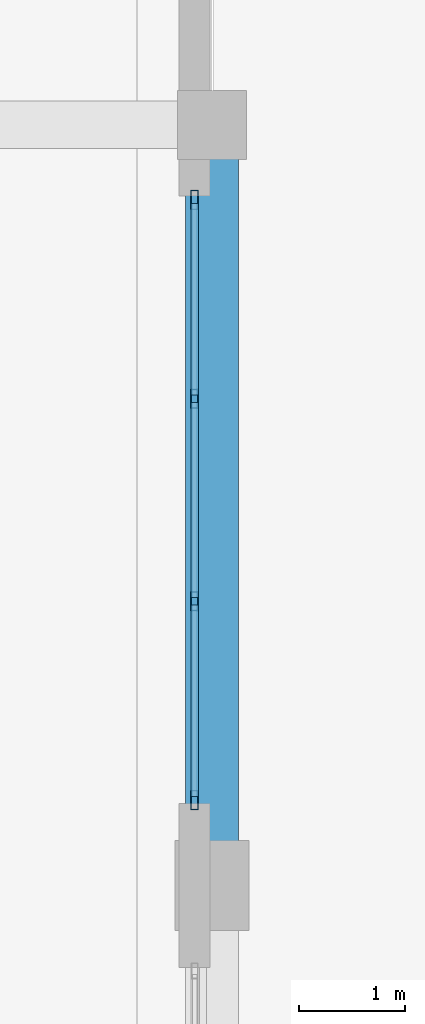
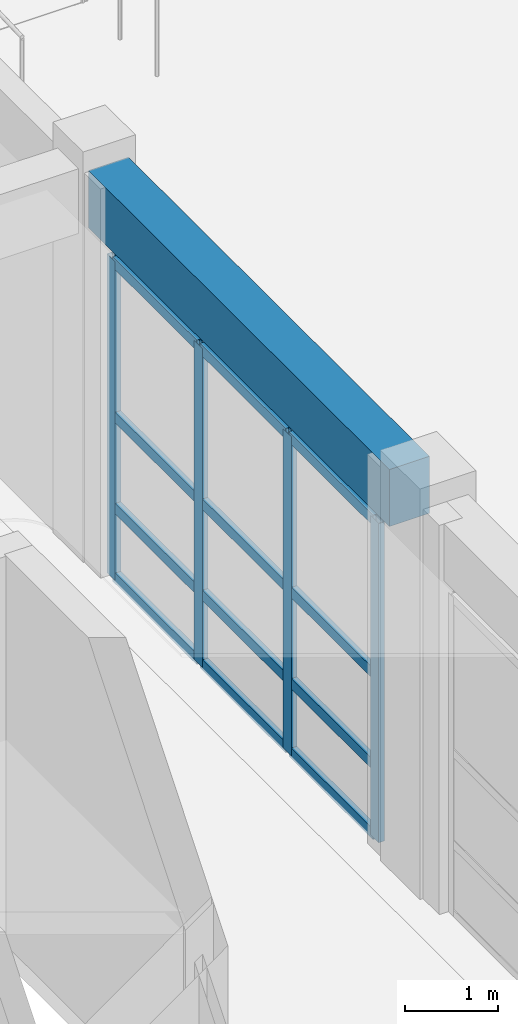
# One storey, part 44 of 148: 16 members, 1 beam, 1 element without a shape of its own.
"""IFC4 building model written with IfcOpenShell, lengths in metres."""

from ifc_helpers import new_model, si_unit, direction, frame, origin, origin_2d, place, context, subcontext, project, spatial, rectangle, hollow_rectangle, extrude, material, layer, layer_set, material_profile, profile_set, type_object, element, aggregate, save


model = new_model("IFC4")

# Units and contexts
model_context = context("Model", 3, precision=1e-05, world=origin(), true_north=direction((0.0, 1.0)))
body_context = subcontext(model_context, "Body", "Model", "MODEL_VIEW")
ifc_project = project(units=[si_unit("LENGTHUNIT", "METRE"), si_unit("AREAUNIT", "SQUARE_METRE"), si_unit("VOLUMEUNIT", "CUBIC_METRE"), si_unit("PLANEANGLEUNIT", "RADIAN"), si_unit("MASSUNIT", "GRAM", prefix="KILO")], contexts=[model_context])

# Site, building, storey
site_placement = place(None, origin())
site = spatial("IfcSite", under=ifc_project, at=site_placement, CompositionType="ELEMENT")
building_placement = place(site_placement, origin())
building = spatial("IfcBuilding", under=site, at=building_placement, Name="Quendrovan Civic Courthouse", CompositionType="ELEMENT")
storey_placement = place(building_placement, origin())
storey = spatial("IfcBuildingStorey", under=building, at=storey_placement, Name="L01", CompositionType="ELEMENT", Elevation=0.0)

# Beam
ifc_material_1 = material(Name="Concrete C40/50", Category="concrete")
ifc_material_profile_1 = material_profile(ifc_material_1, rectangle(XDim=0.5, YDim=0.75, at=origin_2d()), Name="RC-BM-500x750")
ifc_profile_set_1 = profile_set([ifc_material_profile_1], Name="Concrete C40/50")
beam_type = type_object("IfcBeamType", Name="BM-RC750", PredefinedType="SPANDREL", material=ifc_profile_set_1)
beam_placement = place(storey_placement, frame((16.800048828125, 88.0048828125, 4.7451171875), z_axis=(0.0, 1.0, 0.0), x_axis=(-1.0, 0.0, 0.0)))
element("IfcBeam", 1, at=beam_placement, inside=storey, type_object=beam_type, Name="L01 Girder Y0398", PredefinedType="SPANDREL", context=body_context, shape_type="SweptSolid", body=[
    extrude(rectangle(XDim=0.5, YDim=0.75, at=origin_2d()), origin(), (0.0, 0.0, 1.0), 6.490234375),
])

# Curtain wall, members
ifc_material_2 = material(Name="Bronze anodised aluminium and low-E glass", Category="aluminium")
ifc_layer = layer(ifc_material_2, 0.179931640625, Name="Bronze anodised aluminium and low-E glass")
ifc_layer_set = layer_set([ifc_layer], Name="Bronze anodised aluminium and low-E glass")
curtain_wall_type = type_object("IfcCurtainWallType", Name="CW-U58x42", PredefinedType="USERDEFINED", material=ifc_layer_set)
curtain_wall_placement = place(storey_placement, origin())
curtain_wall = element("IfcCurtainWall", 2, at=curtain_wall_placement, inside=storey, type_object=curtain_wall_type, Name="L01 Unitised Hurricane Curtain Wall CW-018", ObjectType="UNITISED CURTAIN WALL", PredefinedType="USERDEFINED")
ifc_material_3 = material(Name="Bronze anodised aluminium", Category="aluminium")
ifc_material_profile_2 = material_profile(ifc_material_3, hollow_rectangle(XDim=0.070068359375, YDim=0.179931640625, WallThickness=0.00390625, at=origin_2d()), Name="CW-MULL-70x180")
ifc_profile_set_2 = profile_set([ifc_material_profile_2], Name="Bronze anodised aluminium")
member_type_1 = type_object("IfcMemberType", Name="CW-MULL-A", PredefinedType="MULLION", material=ifc_profile_set_2)
member_1_placement = place(storey_placement, frame((16.635009765625, 94.090087890625, 0.0), z_axis=(0.0, 0.0, 1.0), x_axis=(1.0, 0.0, 0.0)))
member_1 = element("IfcMember", 3, at=member_1_placement, type_object=member_type_1, Name="CW-018 mullion 1", PredefinedType="MULLION", context=body_context, shape_type="SweptSolid", body=[
    extrude(hollow_rectangle(XDim=0.070068359375, YDim=0.179931640625, WallThickness=0.00390625, at=origin_2d()), origin(), (0.0, 0.0, 1.0), 4.199951171875),
])
member_2_placement = place(storey_placement, frame((16.635009765625, 92.208251953125, 0.0), z_axis=(0.0, 0.0, 1.0), x_axis=(1.0, 0.0, 0.0)))
member_2 = element("IfcMember", 4, at=member_2_placement, type_object=member_type_1, Name="CW-018 mullion 2", PredefinedType="MULLION", context=body_context, shape_type="SweptSolid", body=[
    extrude(hollow_rectangle(XDim=0.070068359375, YDim=0.179931640625, WallThickness=0.00390625, at=origin_2d()), origin(), (0.0, 0.0, 1.0), 4.199951171875),
])
member_3_placement = place(storey_placement, frame((16.635009765625, 90.291748046875, 0.0), z_axis=(0.0, 0.0, 1.0), x_axis=(1.0, 0.0, 0.0)))
member_3 = element("IfcMember", 5, at=member_3_placement, type_object=member_type_1, Name="CW-018 mullion 3", PredefinedType="MULLION", context=body_context, shape_type="SweptSolid", body=[
    extrude(hollow_rectangle(XDim=0.070068359375, YDim=0.179931640625, WallThickness=0.00390625, at=origin_2d()), origin(), (0.0, 0.0, 1.0), 4.199951171875),
])
member_4_placement = place(storey_placement, frame((16.635009765625, 88.409912109375, 0.0), z_axis=(0.0, 0.0, 1.0), x_axis=(1.0, 0.0, 0.0)))
member_4 = element("IfcMember", 6, at=member_4_placement, type_object=member_type_1, Name="CW-018 mullion 4", PredefinedType="MULLION", context=body_context, shape_type="SweptSolid", body=[
    extrude(hollow_rectangle(XDim=0.070068359375, YDim=0.179931640625, WallThickness=0.00390625, at=origin_2d()), origin(), (0.0, 0.0, 1.0), 4.199951171875),
])
ifc_material_profile_3 = material_profile(ifc_material_3, hollow_rectangle(XDim=0.070068359375, YDim=0.139892578125, WallThickness=0.00390625, at=origin_2d()), Name="CW-TRAN-70x140")
ifc_profile_set_3 = profile_set([ifc_material_profile_3], Name="Bronze anodised aluminium")
member_type_2 = type_object("IfcMemberType", Name="CW-TRAN-A", PredefinedType="USERDEFINED", material=ifc_profile_set_3)
member_5_placement = place(storey_placement, frame((16.635009765625, 94.054931640625, 0.034912109375), z_axis=(0.0, -1.0, 0.0), x_axis=(1.0, 0.0, 0.0)))
member_5 = element("IfcMember", 7, at=member_5_placement, type_object=member_type_2, Name="CW-018 transom 1.1", ObjectType="TRANSOM", PredefinedType="USERDEFINED", context=body_context, shape_type="SweptSolid", body=[
    extrude(hollow_rectangle(XDim=0.070068359375, YDim=0.139892578125, WallThickness=0.00390625, at=origin_2d()), origin(), (0.0, 0.0, 1.0), 1.8115234375),
])
member_6_placement = place(storey_placement, frame((16.635009765625, 94.054931640625, 0.949951171875), z_axis=(0.0, -1.0, 0.0), x_axis=(1.0, 0.0, 0.0)))
member_6 = element("IfcMember", 8, at=member_6_placement, type_object=member_type_2, Name="CW-018 transom 1.2", ObjectType="TRANSOM", PredefinedType="USERDEFINED", context=body_context, shape_type="SweptSolid", body=[
    extrude(hollow_rectangle(XDim=0.070068359375, YDim=0.139892578125, WallThickness=0.00390625, at=origin_2d()), origin(), (0.0, 0.0, 1.0), 1.8115234375),
])
member_7_placement = place(storey_placement, frame((16.635009765625, 94.054931640625, 2.14990234375), z_axis=(0.0, -1.0, 0.0), x_axis=(1.0, 0.0, 0.0)))
member_7 = element("IfcMember", 9, at=member_7_placement, type_object=member_type_2, Name="CW-018 transom 1.3", ObjectType="TRANSOM", PredefinedType="USERDEFINED", context=body_context, shape_type="SweptSolid", body=[
    extrude(hollow_rectangle(XDim=0.070068359375, YDim=0.139892578125, WallThickness=0.00390625, at=origin_2d()), origin(), (0.0, 0.0, 1.0), 1.8115234375),
])
member_8_placement = place(storey_placement, frame((16.635009765625, 94.054931640625, 4.1650390625), z_axis=(0.0, -1.0, 0.0), x_axis=(1.0, 0.0, 0.0)))
member_8 = element("IfcMember", 10, at=member_8_placement, type_object=member_type_2, Name="CW-018 transom 1.4", ObjectType="TRANSOM", PredefinedType="USERDEFINED", context=body_context, shape_type="SweptSolid", body=[
    extrude(hollow_rectangle(XDim=0.070068359375, YDim=0.139892578125, WallThickness=0.00390625, at=origin_2d()), origin(), (0.0, 0.0, 1.0), 1.8115234375),
])
member_9_placement = place(storey_placement, frame((16.635009765625, 92.17333984375, 0.034912109375), z_axis=(0.0, -1.0, 0.0), x_axis=(1.0, 0.0, 0.0)))
member_9 = element("IfcMember", 11, at=member_9_placement, type_object=member_type_2, Name="CW-018 transom 2.1", ObjectType="TRANSOM", PredefinedType="USERDEFINED", context=body_context, shape_type="SweptSolid", body=[
    extrude(hollow_rectangle(XDim=0.070068359375, YDim=0.139892578125, WallThickness=0.00390625, at=origin_2d()), origin(), (0.0, 0.0, 1.0), 1.8466796875),
])
member_10_placement = place(storey_placement, frame((16.635009765625, 92.17333984375, 0.949951171875), z_axis=(0.0, -1.0, 0.0), x_axis=(1.0, 0.0, 0.0)))
member_10 = element("IfcMember", 12, at=member_10_placement, type_object=member_type_2, Name="CW-018 transom 2.2", ObjectType="TRANSOM", PredefinedType="USERDEFINED", context=body_context, shape_type="SweptSolid", body=[
    extrude(hollow_rectangle(XDim=0.070068359375, YDim=0.139892578125, WallThickness=0.00390625, at=origin_2d()), origin(), (0.0, 0.0, 1.0), 1.8466796875),
])
member_11_placement = place(storey_placement, frame((16.635009765625, 92.17333984375, 2.14990234375), z_axis=(0.0, -1.0, 0.0), x_axis=(1.0, 0.0, 0.0)))
member_11 = element("IfcMember", 13, at=member_11_placement, type_object=member_type_2, Name="CW-018 transom 2.3", ObjectType="TRANSOM", PredefinedType="USERDEFINED", context=body_context, shape_type="SweptSolid", body=[
    extrude(hollow_rectangle(XDim=0.070068359375, YDim=0.139892578125, WallThickness=0.00390625, at=origin_2d()), origin(), (0.0, 0.0, 1.0), 1.8466796875),
])
member_12_placement = place(storey_placement, frame((16.635009765625, 92.17333984375, 4.1650390625), z_axis=(0.0, -1.0, 0.0), x_axis=(1.0, 0.0, 0.0)))
member_12 = element("IfcMember", 14, at=member_12_placement, type_object=member_type_2, Name="CW-018 transom 2.4", ObjectType="TRANSOM", PredefinedType="USERDEFINED", context=body_context, shape_type="SweptSolid", body=[
    extrude(hollow_rectangle(XDim=0.070068359375, YDim=0.139892578125, WallThickness=0.00390625, at=origin_2d()), origin(), (0.0, 0.0, 1.0), 1.8466796875),
])
member_13_placement = place(storey_placement, frame((16.635009765625, 90.256591796875, 0.034912109375), z_axis=(0.0, -1.0, 0.0), x_axis=(1.0, 0.0, 0.0)))
member_13 = element("IfcMember", 15, at=member_13_placement, type_object=member_type_2, Name="CW-018 transom 3.1", ObjectType="TRANSOM", PredefinedType="USERDEFINED", context=body_context, shape_type="SweptSolid", body=[
    extrude(hollow_rectangle(XDim=0.070068359375, YDim=0.139892578125, WallThickness=0.00390625, at=origin_2d()), origin(), (0.0, 0.0, 1.0), 1.8115234375),
])
member_14_placement = place(storey_placement, frame((16.635009765625, 90.256591796875, 0.949951171875), z_axis=(0.0, -1.0, 0.0), x_axis=(1.0, 0.0, 0.0)))
member_14 = element("IfcMember", 16, at=member_14_placement, type_object=member_type_2, Name="CW-018 transom 3.2", ObjectType="TRANSOM", PredefinedType="USERDEFINED", context=body_context, shape_type="SweptSolid", body=[
    extrude(hollow_rectangle(XDim=0.070068359375, YDim=0.139892578125, WallThickness=0.00390625, at=origin_2d()), origin(), (0.0, 0.0, 1.0), 1.8115234375),
])
member_15_placement = place(storey_placement, frame((16.635009765625, 90.256591796875, 2.14990234375), z_axis=(0.0, -1.0, 0.0), x_axis=(1.0, 0.0, 0.0)))
member_15 = element("IfcMember", 17, at=member_15_placement, type_object=member_type_2, Name="CW-018 transom 3.3", ObjectType="TRANSOM", PredefinedType="USERDEFINED", context=body_context, shape_type="SweptSolid", body=[
    extrude(hollow_rectangle(XDim=0.070068359375, YDim=0.139892578125, WallThickness=0.00390625, at=origin_2d()), origin(), (0.0, 0.0, 1.0), 1.8115234375),
])
member_16_placement = place(storey_placement, frame((16.635009765625, 90.256591796875, 4.1650390625), z_axis=(0.0, -1.0, 0.0), x_axis=(1.0, 0.0, 0.0)))
member_16 = element("IfcMember", 18, at=member_16_placement, type_object=member_type_2, Name="CW-018 transom 3.4", ObjectType="TRANSOM", PredefinedType="USERDEFINED", context=body_context, shape_type="SweptSolid", body=[
    extrude(hollow_rectangle(XDim=0.070068359375, YDim=0.139892578125, WallThickness=0.00390625, at=origin_2d()), origin(), (0.0, 0.0, 1.0), 1.8115234375),
])
aggregate(curtain_wall, [member_1, member_2, member_3, member_4, member_5, member_6, member_7, member_8, member_9, member_10, member_11, member_12, member_13, member_14, member_15, member_16])

save(model, "model.ifc")
